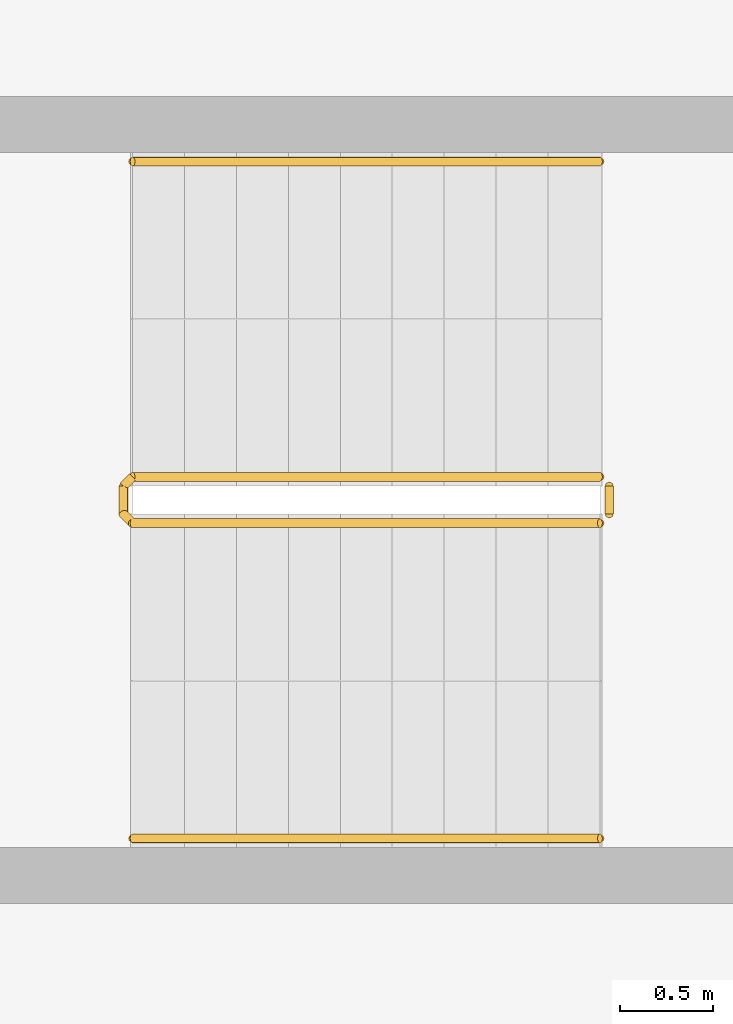
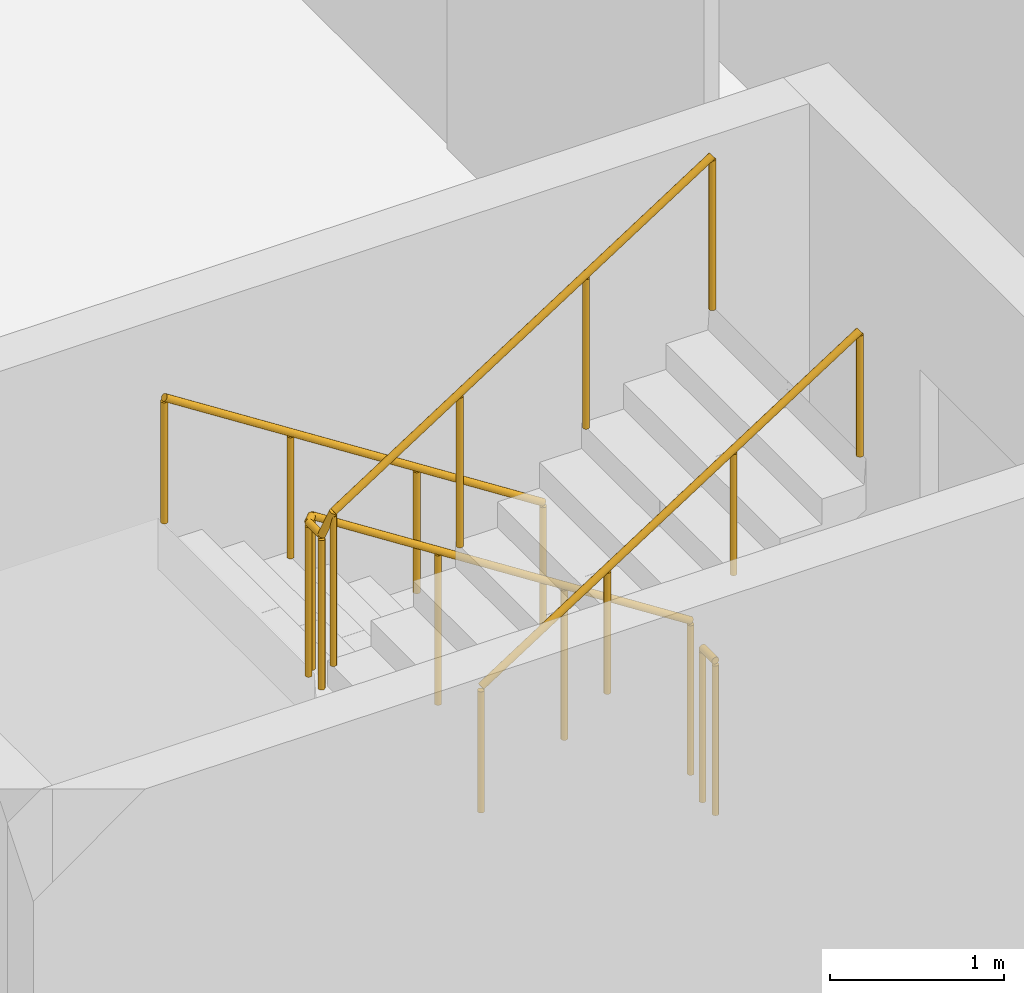
# One storey, part 23 of 26: 4 railings.
"""IFC4 building model written with IfcOpenShell, lengths in metres."""

from ifc_helpers import new_model, si_unit, direction, frame, origin, origin_2d, place, context, subcontext, project, spatial, circle, extrude, material, type_object, element, save


model = new_model("IFC4")

# Units and contexts
model_context = context("Model", 3, precision=1e-05, world=origin(), true_north=direction((0.0, 1.0)))
body_context = subcontext(model_context, "Body", "Model", "MODEL_VIEW")
ifc_project = project(units=[si_unit("LENGTHUNIT", "METRE"), si_unit("AREAUNIT", "SQUARE_METRE"), si_unit("VOLUMEUNIT", "CUBIC_METRE"), si_unit("PLANEANGLEUNIT", "RADIAN"), si_unit("MASSUNIT", "GRAM", prefix="KILO")], contexts=[model_context])

# Site, building, storey
site_placement = place(None, origin())
site = spatial("IfcSite", under=ifc_project, at=site_placement, CompositionType="ELEMENT")
building_placement = place(site_placement, origin())
building = spatial("IfcBuilding", under=site, at=building_placement, Name="Wharfspan Tower", CompositionType="ELEMENT")
storey_placement = place(building_placement, frame((0.0, 0.0, 125.5)))
storey = spatial("IfcBuildingStorey", under=building, at=storey_placement, Name="L29", CompositionType="ELEMENT", Elevation=125.5)

# Railings
ifc_material = material(Name="Steel S355J2", Category="steel")
railing_type_1 = type_object("IfcRailingType", Name="Stair guard 1100", PredefinedType="GUARDRAIL", material=ifc_material)
railing_1_placement = place(storey_placement, frame((13.899902, 22.824951, 0.179932)))
element("IfcRailing", 1, at=railing_1_placement, inside=storey, type_object=railing_type_1, Name="L29 ST3 stair guard 1", PredefinedType="GUARDRAIL", context=body_context, shape_type="SweptSolid", body=[
    extrude(circle(Radius=0.023926, at=origin_2d()), frame((0.0, 0.0, 1.076172), z_axis=(-0.841163, 0.0, 0.540782), x_axis=(0.0, -1.0, 0.0)), (0.0, 0.0, 1.0), 2.99585),
    extrude(circle(Radius=0.023926, at=origin_2d()), frame((-2.52002, 0.0, 2.696289), z_axis=(-0.705376, -0.708834, 0.0), x_axis=(0.708834, -0.705376, 0.0)), (0.0, 0.0, 1.0), 0.070557),
    extrude(circle(Radius=0.023926, at=origin_2d()), frame((-2.569824, -0.050049, 2.696289), z_axis=(0.0, -1.0, 0.0), x_axis=(1.0, 0.0, 0.0)), (0.0, 0.0, 1.0), 0.149902),
    extrude(circle(Radius=0.023926, at=origin_2d()), frame((-2.569824, -0.199951, 2.696289), z_axis=(0.257669, -0.258932, 0.930892), x_axis=(0.708833, 0.705372, -1e-06)), (0.0, 0.0, 1.0), 0.193359),
    extrude(circle(Radius=0.023926, at=origin_2d()), frame((-2.52002, -0.25, 2.875977), z_axis=(0.841163, 0.0, 0.540782), x_axis=(0.0, 1.0, 0.0)), (0.0, 0.0, 1.0), 2.99585),
    extrude(circle(Radius=0.020996, at=origin_2d()), origin(), (0.0, 0.0, 1.0), 1.052002),
    extrude(circle(Radius=0.020996, at=origin_2d()), frame((-0.840088, 0.0, 0.540039)), (0.0, 0.0, 1.0), 1.052002),
    extrude(circle(Radius=0.020996, at=origin_2d()), frame((-1.679932, 0.0, 1.080078)), (0.0, 0.0, 1.0), 1.052002),
    extrude(circle(Radius=0.020996, at=origin_2d()), frame((-2.52002, 0.0, 1.620117)), (0.0, 0.0, 1.0), 1.052002),
    extrude(circle(Radius=0.020996, at=origin_2d()), frame((-2.569824, -0.050049, 1.620117)), (0.0, 0.0, 1.0), 1.052002),
    extrude(circle(Radius=0.020996, at=origin_2d()), frame((-2.569824, -0.199951, 1.620117)), (0.0, 0.0, 1.0), 1.052002),
    extrude(circle(Radius=0.020996, at=origin_2d()), frame((-2.52002, -0.25, 1.800049)), (0.0, 0.0, 1.0), 1.052002),
    extrude(circle(Radius=0.020996, at=origin_2d()), frame((-1.679932, -0.25, 2.340088)), (0.0, 0.0, 1.0), 1.052002),
    extrude(circle(Radius=0.020996, at=origin_2d()), frame((-0.840088, -0.25, 2.880127)), (0.0, 0.0, 1.0), 1.052002),
    extrude(circle(Radius=0.020996, at=origin_2d()), frame((0.0, -0.25, 3.420166)), (0.0, 0.0, 1.0), 1.052002),
])
railing_2_placement = place(storey_placement, frame((13.949951, 22.774902, 0.0)))
element("IfcRailing", 2, at=railing_2_placement, inside=storey, type_object=railing_type_1, Name="L29 ST3 stair guard 2", PredefinedType="GUARDRAIL", context=body_context, shape_type="SweptSolid", body=[
    extrude(circle(Radius=0.023926, at=origin_2d()), frame((0.0, 0.0, 1.076172), z_axis=(0.0, -1.0, 0.0), x_axis=(1.0, 0.0, 0.0)), (0.0, 0.0, 1.0), 0.149902),
    extrude(circle(Radius=0.020996, at=origin_2d()), origin(), (0.0, 0.0, 1.0), 1.052002),
    extrude(circle(Radius=0.020996, at=origin_2d()), frame((0.0, -0.149902, 0.0)), (0.0, 0.0, 1.0), 1.052002),
])
railing_type_2 = type_object("IfcRailingType", Name="Stair handrail 900", PredefinedType="HANDRAIL", material=ifc_material)
railing_3_placement = place(storey_placement, frame((13.899902, 24.524902, 0.179932)))
element("IfcRailing", 3, at=railing_3_placement, inside=storey, type_object=railing_type_2, Name="L29 ST3 stair handrail 1", PredefinedType="HANDRAIL", context=body_context, shape_type="SweptSolid", body=[
    extrude(circle(Radius=0.023926, at=origin_2d()), frame((0.0, 0.0, 0.875977), z_axis=(-0.841163, 0.0, 0.540782), x_axis=(0.0, -1.0, 0.0)), (0.0, 0.0, 1.0), 2.99585),
    extrude(circle(Radius=0.020996, at=origin_2d()), origin(), (0.0, 0.0, 1.0), 0.851807),
    extrude(circle(Radius=0.020996, at=origin_2d()), frame((-0.840088, 0.0, 0.540039)), (0.0, 0.0, 1.0), 0.851807),
    extrude(circle(Radius=0.020996, at=origin_2d()), frame((-1.679932, 0.0, 1.080078)), (0.0, 0.0, 1.0), 0.851807),
    extrude(circle(Radius=0.020996, at=origin_2d()), frame((-2.52002, 0.0, 1.620117)), (0.0, 0.0, 1.0), 0.851807),
])
railing_4_placement = place(storey_placement, frame((11.379883, 20.875, 1.97998)))
element("IfcRailing", 4, at=railing_4_placement, inside=storey, type_object=railing_type_2, Name="L29 ST3 stair handrail 2", PredefinedType="HANDRAIL", context=body_context, shape_type="SweptSolid", body=[
    extrude(circle(Radius=0.023926, at=origin_2d()), frame((0.0, 0.0, 0.875977), z_axis=(0.841163, 0.0, 0.540782), x_axis=(0.0, 1.0, 0.0)), (0.0, 0.0, 1.0), 2.99585),
    extrude(circle(Radius=0.020996, at=origin_2d()), origin(), (0.0, 0.0, 1.0), 0.851807),
    extrude(circle(Radius=0.020996, at=origin_2d()), frame((0.840088, 0.0, 0.540039)), (0.0, 0.0, 1.0), 0.851807),
    extrude(circle(Radius=0.020996, at=origin_2d()), frame((1.679932, 0.0, 1.080078)), (0.0, 0.0, 1.0), 0.851807),
    extrude(circle(Radius=0.020996, at=origin_2d()), frame((2.52002, 0.0, 1.620117)), (0.0, 0.0, 1.0), 0.851807),
])

save(model, "model.ifc")
